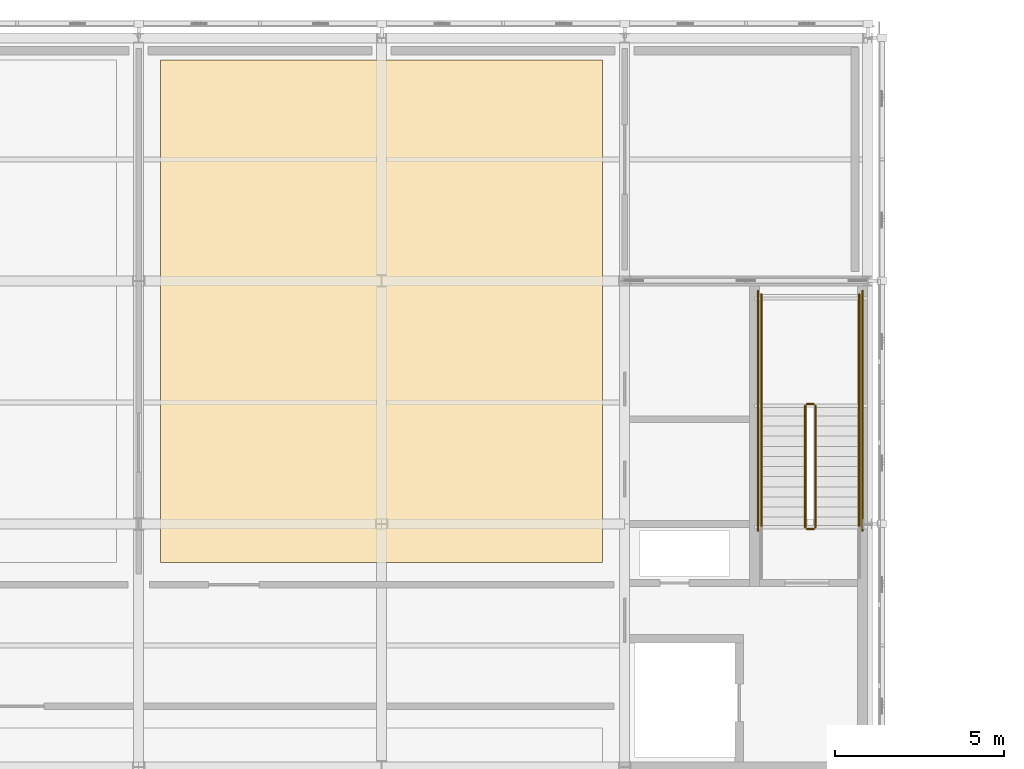
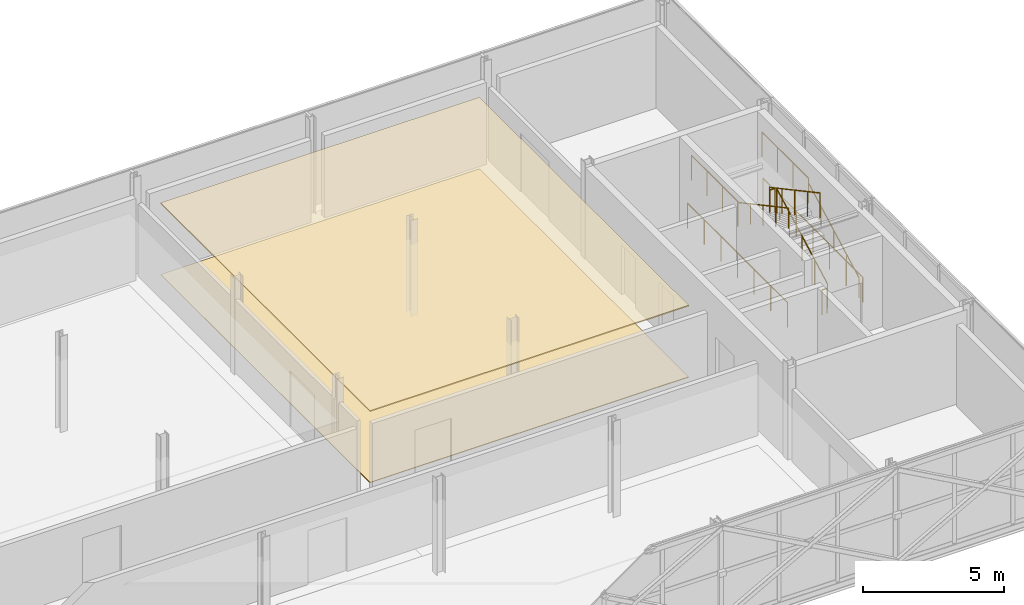
# One storey, part 102 of 103: 10 railings, 2 coverings.
"""IFC4 building model written with IfcOpenShell, lengths in metres."""

from ifc_helpers import new_model, si_unit, direction, frame, origin, origin_2d, place, context, subcontext, project, spatial, polyline, circle, outline, extrude, material, layer, layer_set, type_object, element, save


model = new_model("IFC4")

# Units and contexts
model_context = context("Model", 3, precision=1e-05, world=origin(), true_north=direction((0.0, 1.0)))
body_context = subcontext(model_context, "Body", "Model", "MODEL_VIEW")
ifc_project = project(units=[si_unit("LENGTHUNIT", "METRE"), si_unit("AREAUNIT", "SQUARE_METRE"), si_unit("VOLUMEUNIT", "CUBIC_METRE"), si_unit("PLANEANGLEUNIT", "RADIAN"), si_unit("MASSUNIT", "GRAM", prefix="KILO")], contexts=[model_context])

# Site, building, storey
site_placement = place(None, origin())
site = spatial("IfcSite", under=ifc_project, at=site_placement, CompositionType="ELEMENT")
building_placement = place(site_placement, origin())
building = spatial("IfcBuilding", under=site, at=building_placement, Name="Zlatovets Crest Museum", CompositionType="ELEMENT")
storey_placement = place(building_placement, frame((0.0, 0.0, 12.89990234375)))
storey = spatial("IfcBuildingStorey", under=building, at=storey_placement, Name="L03", CompositionType="ELEMENT", Elevation=12.89990234375)

# Coverings
ifc_material_1 = material(Name="Micro-perforated gypsum acoustic gallery ceiling")
ifc_layer_1 = layer(ifc_material_1, 0.050048828125)
ifc_layer_set_1 = layer_set([ifc_layer_1], Name="Micro-perforated gypsum acoustic gallery ceiling")
covering_type_1 = type_object("IfcCoveringType", Name="GalleryCeiling_CLG1", PredefinedType="CEILING", material=ifc_layer_set_1)
covering_1_placement = place(storey_placement, frame((0.0, 0.0, 3.090087890625)))
element("IfcCovering", 1, at=covering_1_placement, inside=storey, type_object=covering_type_1, Name="Graphic and Woodcut Cabinet Acoustic Ceiling", PredefinedType="CEILING", context=body_context, shape_type="SweptSolid", body=[
    extrude(outline(polyline([(87.050048828125, 99.64990234375), (100.14990234375, 99.64990234375), (100.14990234375, 114.550048828125), (87.050048828125, 114.550048828125), (87.050048828125, 99.64990234375)])), origin(), (0.0, 0.0, 1.0), 0.050048828125),
])
ifc_material_2 = material(Name="Quarter-sawn European oak herringbone gallery parquet")
ifc_layer_2 = layer(ifc_material_2, 0.030029296875)
ifc_layer_set_2 = layer_set([ifc_layer_2], Name="Quarter-sawn European oak herringbone gallery parquet")
covering_type_2 = type_object("IfcCoveringType", Name="GalleryFloor_FLR1", PredefinedType="FLOORING", material=ifc_layer_set_2)
covering_2_placement = place(storey_placement, origin())
element("IfcCovering", 2, at=covering_2_placement, inside=storey, type_object=covering_type_2, Name="Graphic and Woodcut Cabinet Floor Finish", PredefinedType="FLOORING", context=body_context, shape_type="SweptSolid", body=[
    extrude(outline(polyline([(87.050048828125, 99.64990234375), (100.14990234375, 99.64990234375), (100.14990234375, 114.550048828125), (87.050048828125, 114.550048828125), (87.050048828125, 99.64990234375)])), origin(), (0.0, 0.0, 1.0), 0.030029296875),
])

# Railings
ifc_material_3 = material(Name="Painted steel safety guardrail", Category="steel")
railing_type_1 = type_object("IfcRailingType", Name="StairGuard_SG01", PredefinedType="GUARDRAIL", material=ifc_material_3)
railing_1_placement = place(storey_placement, frame((106.449951171875, 100.699951171875, 0.16162109375)))
element("IfcRailing", 3, at=railing_1_placement, inside=storey, type_object=railing_type_1, Name="L03 ST7 stair guard 1", PredefinedType="GUARDRAIL", context=body_context, shape_type="SweptSolid", body=[
    extrude(circle(Radius=0.02392578125, at=origin_2d()), frame((0.0, 0.0, 1.076171875), z_axis=(0.0, 0.880474934443, 0.474092701714), x_axis=(-1.0, 0.0, 0.0)), (0.0, 0.0, 1.0), 4.0888671875),
    extrude(circle(Radius=0.02099609375, at=origin_2d()), origin(), (0.0, 0.0, 1.0), 1.052001953125),
    extrude(circle(Radius=0.02099609375, at=origin_2d()), frame((0.0, 0.89990234375, 0.484619140625)), (0.0, 0.0, 1.0), 1.052001953125),
    extrude(circle(Radius=0.02099609375, at=origin_2d()), frame((0.0, 1.800048828125, 0.96923828125)), (0.0, 0.0, 1.0), 1.052001953125),
    extrude(circle(Radius=0.02099609375, at=origin_2d()), frame((0.0, 2.7001953125, 1.453857421875)), (0.0, 0.0, 1.0), 1.052001953125),
    extrude(circle(Radius=0.02099609375, at=origin_2d()), frame((0.0, 3.60009765625, 1.9384765625)), (0.0, 0.0, 1.0), 1.052001953125),
])
railing_2_placement = place(storey_placement, frame((106.39990234375, 104.35009765625, 2.10009765625)))
element("IfcRailing", 4, at=railing_2_placement, inside=storey, type_object=railing_type_1, Name="L03 ST7 stair guard 2", PredefinedType="GUARDRAIL", context=body_context, shape_type="SweptSolid", body=[
    extrude(circle(Radius=0.02392578125, at=origin_2d()), frame((0.0, 0.0, 1.076171875), z_axis=(-1.0, 0.0, 0.0), x_axis=(0.0, -1.0, 0.0)), (0.0, 0.0, 1.0), 0.199951171875),
    extrude(circle(Radius=0.02099609375, at=origin_2d()), origin(), (0.0, 0.0, 1.0), 1.052001953125),
    extrude(circle(Radius=0.02099609375, at=origin_2d()), frame((-0.199951171875, 0.0, 0.0)), (0.0, 0.0, 1.0), 1.052001953125),
])
for number, where, name in (
    (5, (107.75, 104.300048828125, 2.10009765625), "L03 ST7 stair guard 3"),
    (6, (104.85009765625, 104.300048828125, 2.10009765625), "L03 ST7 stair guard 4"),
):
    element("IfcRailing", number, at=place(storey_placement, frame(where)), inside=storey, type_object=railing_type_1, Name=name, PredefinedType="GUARDRAIL", context=body_context, shape_type="SweptSolid", body=[
        extrude(circle(Radius=0.02392578125, at=origin_2d()), frame((0.0, 0.0, 1.076171875), z_axis=(0.0, 1.0, 0.0), x_axis=(-1.0, 0.0, 0.0)), (0.0, 0.0, 1.0), 3.300048828125),
        extrude(circle(Radius=0.02099609375, at=origin_2d()), origin(), (0.0, 0.0, 1.0), 1.052001953125),
        extrude(circle(Radius=0.02099609375, at=origin_2d()), frame((0.0, 1.10009765625, 0.0)), (0.0, 0.0, 1.0), 1.052001953125),
        extrude(circle(Radius=0.02099609375, at=origin_2d()), frame((0.0, 2.199951171875, 0.0)), (0.0, 0.0, 1.0), 1.052001953125),
        extrude(circle(Radius=0.02099609375, at=origin_2d()), frame((0.0, 3.300048828125, 0.0)), (0.0, 0.0, 1.0), 1.052001953125),
    ])
railing_3_placement = place(storey_placement, frame((106.14990234375, 104.300048828125, 2.26171875)))
element("IfcRailing", 7, at=railing_3_placement, inside=storey, type_object=railing_type_1, Name="L03 ST7 stair guard 5", PredefinedType="GUARDRAIL", context=body_context, shape_type="SweptSolid", body=[
    extrude(circle(Radius=0.02392578125, at=origin_2d()), frame((0.0, 0.0, 1.076171875), z_axis=(0.0, -0.880474934443, 0.474092701714), x_axis=(1.0, 0.0, 0.0)), (0.0, 0.0, 1.0), 4.0888671875),
    extrude(circle(Radius=0.02099609375, at=origin_2d()), origin(), (0.0, 0.0, 1.0), 1.052001953125),
    extrude(circle(Radius=0.02099609375, at=origin_2d()), frame((0.0, -0.89990234375, 0.484619140625)), (0.0, 0.0, 1.0), 1.052001953125),
    extrude(circle(Radius=0.02099609375, at=origin_2d()), frame((0.0, -1.800048828125, 0.96923828125)), (0.0, 0.0, 1.0), 1.052001953125),
    extrude(circle(Radius=0.02099609375, at=origin_2d()), frame((0.0, -2.7001953125, 1.453857421875)), (0.0, 0.0, 1.0), 1.052001953125),
    extrude(circle(Radius=0.02099609375, at=origin_2d()), frame((0.0, -3.60009765625, 1.9384765625)), (0.0, 0.0, 1.0), 1.052001953125),
])
railing_4_placement = place(storey_placement, frame((106.39990234375, 100.64990234375, 0.0)))
element("IfcRailing", 8, at=railing_4_placement, inside=storey, type_object=railing_type_1, Name="L03 ST7 stair guard 6", PredefinedType="GUARDRAIL", context=body_context, shape_type="SweptSolid", body=[
    extrude(circle(Radius=0.02392578125, at=origin_2d()), frame((0.0, 0.0, 1.076171875), z_axis=(-1.0, 0.0, 0.0), x_axis=(0.0, -1.0, 0.0)), (0.0, 0.0, 1.0), 0.199951171875),
    extrude(circle(Radius=0.02099609375, at=origin_2d()), origin(), (0.0, 0.0, 1.0), 1.052001953125),
    extrude(circle(Radius=0.02099609375, at=origin_2d()), frame((-0.199951171875, 0.0, 0.0)), (0.0, 0.0, 1.0), 1.052001953125),
])
for number, where, name in (
    (9, (107.85009765625, 100.60009765625, 0.0), "L03 ST7 stair guard 9"),
    (10, (104.75, 100.60009765625, 0.0), "L03 ST7 stair guard 10"),
):
    element("IfcRailing", number, at=place(storey_placement, frame(where)), inside=storey, type_object=railing_type_1, Name=name, PredefinedType="GUARDRAIL", context=body_context, shape_type="SweptSolid", body=[
        extrude(circle(Radius=0.02392578125, at=origin_2d()), frame((0.0, 0.0, 1.076171875), z_axis=(0.0, 1.0, 0.0), x_axis=(-1.0, 0.0, 0.0)), (0.0, 0.0, 1.0), 7.099853515625),
        extrude(circle(Radius=0.02099609375, at=origin_2d()), origin(), (0.0, 0.0, 1.0), 1.052001953125),
        extrude(circle(Radius=0.02099609375, at=origin_2d()), frame((0.0, 1.183349609375, 0.0)), (0.0, 0.0, 1.0), 1.052001953125),
        extrude(circle(Radius=0.02099609375, at=origin_2d()), frame((0.0, 2.36669921875, 0.0)), (0.0, 0.0, 1.0), 1.052001953125),
        extrude(circle(Radius=0.02099609375, at=origin_2d()), frame((0.0, 3.5498046875, 0.0)), (0.0, 0.0, 1.0), 1.052001953125),
        extrude(circle(Radius=0.02099609375, at=origin_2d()), frame((0.0, 4.733154296875, 0.0)), (0.0, 0.0, 1.0), 1.052001953125),
        extrude(circle(Radius=0.02099609375, at=origin_2d()), frame((0.0, 5.91650390625, 0.0)), (0.0, 0.0, 1.0), 1.052001953125),
        extrude(circle(Radius=0.02099609375, at=origin_2d()), frame((0.0, 7.099853515625, 0.0)), (0.0, 0.0, 1.0), 1.052001953125),
    ])
ifc_material_4 = material(Name="Brushed bronze stair handrail")
railing_type_2 = type_object("IfcRailingType", Name="StairHandrail_SH01", PredefinedType="HANDRAIL", material=ifc_material_4)
railing_5_placement = place(storey_placement, frame((107.75, 100.699951171875, 0.16162109375)))
element("IfcRailing", 11, at=railing_5_placement, inside=storey, type_object=railing_type_2, Name="L03 ST7 stair handrail 1", PredefinedType="HANDRAIL", context=body_context, shape_type="SweptSolid", body=[
    extrude(circle(Radius=0.02392578125, at=origin_2d()), frame((0.0, 0.0, 0.8759765625), z_axis=(0.0, 0.880474934443, 0.474092701714), x_axis=(-1.0, 0.0, 0.0)), (0.0, 0.0, 1.0), 4.0888671875),
    extrude(circle(Radius=0.02099609375, at=origin_2d()), origin(), (0.0, 0.0, 1.0), 0.851806640625),
    extrude(circle(Radius=0.02099609375, at=origin_2d()), frame((0.0, 0.89990234375, 0.484619140625)), (0.0, 0.0, 1.0), 0.851806640625),
    extrude(circle(Radius=0.02099609375, at=origin_2d()), frame((0.0, 1.800048828125, 0.96923828125)), (0.0, 0.0, 1.0), 0.851806640625),
    extrude(circle(Radius=0.02099609375, at=origin_2d()), frame((0.0, 2.7001953125, 1.453857421875)), (0.0, 0.0, 1.0), 0.851806640625),
    extrude(circle(Radius=0.02099609375, at=origin_2d()), frame((0.0, 3.60009765625, 1.9384765625)), (0.0, 0.0, 1.0), 0.851806640625),
])
railing_6_placement = place(storey_placement, frame((104.85009765625, 104.300048828125, 2.26171875)))
element("IfcRailing", 12, at=railing_6_placement, inside=storey, type_object=railing_type_2, Name="L03 ST7 stair handrail 2", PredefinedType="HANDRAIL", context=body_context, shape_type="SweptSolid", body=[
    extrude(circle(Radius=0.02392578125, at=origin_2d()), frame((0.0, 0.0, 0.8759765625), z_axis=(0.0, -0.880474934443, 0.474092701714), x_axis=(1.0, 0.0, 0.0)), (0.0, 0.0, 1.0), 4.0888671875),
    extrude(circle(Radius=0.02099609375, at=origin_2d()), origin(), (0.0, 0.0, 1.0), 0.851806640625),
    extrude(circle(Radius=0.02099609375, at=origin_2d()), frame((0.0, -0.89990234375, 0.484619140625)), (0.0, 0.0, 1.0), 0.851806640625),
    extrude(circle(Radius=0.02099609375, at=origin_2d()), frame((0.0, -1.800048828125, 0.96923828125)), (0.0, 0.0, 1.0), 0.851806640625),
    extrude(circle(Radius=0.02099609375, at=origin_2d()), frame((0.0, -2.7001953125, 1.453857421875)), (0.0, 0.0, 1.0), 0.851806640625),
    extrude(circle(Radius=0.02099609375, at=origin_2d()), frame((0.0, -3.60009765625, 1.9384765625)), (0.0, 0.0, 1.0), 0.851806640625),
])

save(model, "model.ifc")
